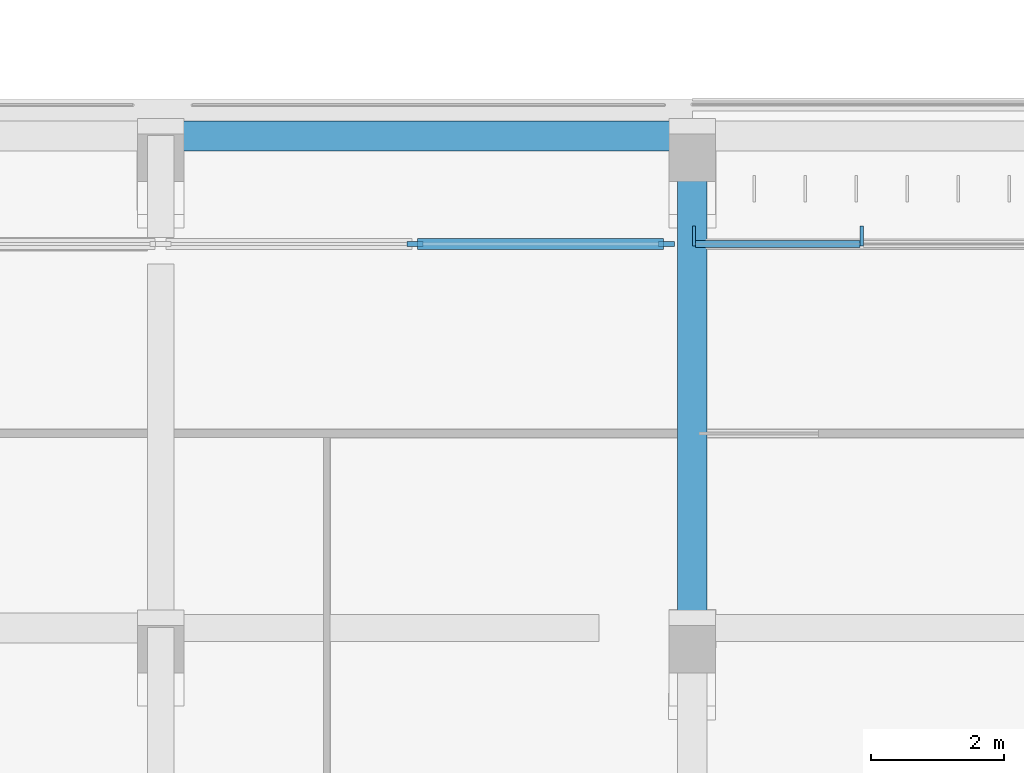
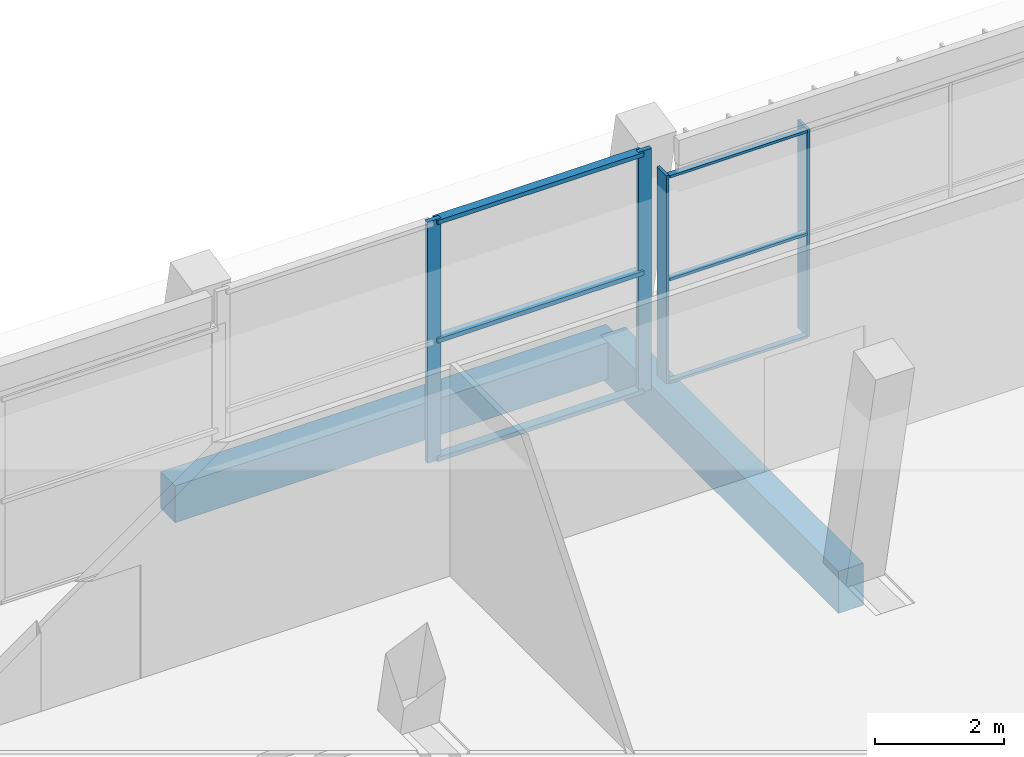
# One storey, part 9 of 73: 10 members, 2 beams, 2 elements without a shape of their own.
"""IFC4 building model written with IfcOpenShell, lengths in metres."""

from ifc_helpers import new_model, si_unit, direction, frame, origin, origin_2d, place, context, subcontext, project, spatial, rectangle, extrude, material, material_profile, profile_set, type_object, element, aggregate, save


model = new_model("IFC4")

# Units and contexts
model_context = context("Model", 3, precision=1e-05, world=origin(), true_north=direction((0.0, 1.0)))
body_context = subcontext(model_context, "Body", "Model", "MODEL_VIEW")
ifc_project = project(units=[si_unit("LENGTHUNIT", "METRE"), si_unit("AREAUNIT", "SQUARE_METRE"), si_unit("VOLUMEUNIT", "CUBIC_METRE"), si_unit("PLANEANGLEUNIT", "RADIAN"), si_unit("MASSUNIT", "GRAM", prefix="KILO")], contexts=[model_context])

# Site, building, storey
site_placement = place(None, origin())
site = spatial("IfcSite", under=ifc_project, at=site_placement, CompositionType="ELEMENT")
building_placement = place(site_placement, origin())
building = spatial("IfcBuilding", under=site, at=building_placement, Name="Lantern Court Media Centre", CompositionType="ELEMENT")
storey_placement = place(building_placement, frame((0.0, 0.0, 24.0)))
storey = spatial("IfcBuildingStorey", under=building, at=storey_placement, Name="L05", CompositionType="ELEMENT", Elevation=24.0)

# Curtain wall, members
ifc_material_1 = material(Name="Curtain wall bay 2400")
curtain_wall_type_1 = type_object("IfcCurtainWallType", Name="Curtain wall bay 2400", PredefinedType="NOTDEFINED", material=ifc_material_1)
curtain_wall_1_placement = place(storey_placement, origin())
curtain_wall_1 = element("IfcCurtainWall", 1, at=curtain_wall_1_placement, inside=storey, type_object=curtain_wall_type_1, Name="Curtain wall S inner L05", PredefinedType="NOTDEFINED")
ifc_material_2 = material(Name="Anodised aluminium", Category="aluminium")
ifc_material_profile_1 = material_profile(ifc_material_2, rectangle(XDim=0.300048828125, YDim=0.050048828125, at=origin_2d()), Name="AL 50x300")
ifc_profile_set_1 = profile_set([ifc_material_profile_1], Name="Anodised aluminium")
member_type_1 = type_object("IfcMemberType", Name="Curtain wall mullion 50x300", PredefinedType="MULLION", material=ifc_profile_set_1)
member_1_placement = place(storey_placement, frame((64.02490234375, 56.969970703125, 0.0), z_axis=(0.0, 0.0, 1.0), x_axis=(0.0, 1.0, 0.0)))
member_1 = element("IfcMember", 2, at=member_1_placement, type_object=member_type_1, Name="CW2 mullion 1", PredefinedType="MULLION", context=body_context, shape_type="SweptSolid", body=[
    extrude(rectangle(XDim=0.300048828125, YDim=0.050048828125, at=origin_2d()), origin(), (0.0, 0.0, 1.0), 3.949951171875),
])
member_2_placement = place(storey_placement, frame((66.550048828125, 56.969970703125, 0.0), z_axis=(0.0, 0.0, 1.0), x_axis=(0.0, 1.0, 0.0)))
member_2 = element("IfcMember", 3, at=member_2_placement, type_object=member_type_1, Name="CW2 mullion 2", PredefinedType="MULLION", context=body_context, shape_type="SweptSolid", body=[
    extrude(rectangle(XDim=0.300048828125, YDim=0.050048828125, at=origin_2d()), origin(), (0.0, 0.0, 1.0), 3.949951171875),
])

ifc_material_3 = material(Name="Curtain wall bay 4000")
curtain_wall_type_2 = type_object("IfcCurtainWallType", Name="Curtain wall bay 4000", PredefinedType="NOTDEFINED", material=ifc_material_3)
curtain_wall_2_placement = place(storey_placement, origin())
curtain_wall_2 = element("IfcCurtainWall", 4, at=curtain_wall_2_placement, inside=storey, type_object=curtain_wall_type_2, Name="Curtain wall S inner L05", PredefinedType="NOTDEFINED")
ifc_material_profile_2 = material_profile(ifc_material_2, rectangle(XDim=0.080078125, YDim=0.239990234375, at=origin_2d()), Name="AL 80x240")
ifc_profile_set_2 = profile_set([ifc_material_profile_2], Name="Anodised aluminium")
member_type_2 = type_object("IfcMemberType", Name="Curtain wall mullion 80x240", PredefinedType="MULLION", material=ifc_profile_set_2)
member_3_placement = place(storey_placement, frame((59.824951171875, 56.85009765625, 0.0), z_axis=(0.0, 0.0, 1.0), x_axis=(0.0, 1.0, 0.0)))
member_3 = element("IfcMember", 5, at=member_3_placement, type_object=member_type_2, Name="CW3 mullion 2", PredefinedType="MULLION", context=body_context, shape_type="SweptSolid", body=[
    extrude(rectangle(XDim=0.080078125, YDim=0.239990234375, at=origin_2d()), origin(), (0.0, 0.0, 1.0), 4.580078125),
])
member_4_placement = place(storey_placement, frame((63.610107421875, 56.85009765625, 0.0), z_axis=(0.0, 0.0, 1.0), x_axis=(0.0, 1.0, 0.0)))
member_4 = element("IfcMember", 6, at=member_4_placement, type_object=member_type_2, Name="CW3 mullion 3", PredefinedType="MULLION", context=body_context, shape_type="SweptSolid", body=[
    extrude(rectangle(XDim=0.080078125, YDim=0.239990234375, at=origin_2d()), origin(), (0.0, 0.0, 1.0), 4.580078125),
])

# Member
ifc_material_profile_3 = material_profile(ifc_material_2, rectangle(XDim=0.10009765625, YDim=0.050048828125, at=origin_2d()), Name="AL 50x100")
ifc_profile_set_3 = profile_set([ifc_material_profile_3], Name="Anodised aluminium")
member_type_3 = type_object("IfcMemberType", Name="Curtain wall transom 100x50", PredefinedType="USERDEFINED", material=ifc_profile_set_3)
member_5_placement = place(storey_placement, frame((64.050048828125, 56.85009765625, 0.02490234375), z_axis=(1.0, 0.0, 0.0), x_axis=(0.0, 1.0, 0.0)))
member_5 = element("IfcMember", 7, at=member_5_placement, type_object=member_type_3, Name="CW2 transom 1.1", ObjectType="TRANSOM", PredefinedType="USERDEFINED", context=body_context, shape_type="SweptSolid", body=[
    extrude(rectangle(XDim=0.10009765625, YDim=0.050048828125, at=origin_2d()), origin(), (0.0, 0.0, 1.0), 2.474853515625),
])

member_6_placement = place(storey_placement, frame((64.050048828125, 56.85009765625, 1.97509765625), z_axis=(1.0, 0.0, 0.0), x_axis=(0.0, 1.0, 0.0)))
member_6 = element("IfcMember", 8, at=member_6_placement, type_object=member_type_3, Name="CW2 transom 1.2", ObjectType="TRANSOM", PredefinedType="USERDEFINED", context=body_context, shape_type="SweptSolid", body=[
    extrude(rectangle(XDim=0.10009765625, YDim=0.050048828125, at=origin_2d()), origin(), (0.0, 0.0, 1.0), 2.474853515625),
])

member_7_placement = place(storey_placement, frame((64.050048828125, 56.85009765625, 3.925048828125), z_axis=(1.0, 0.0, 0.0), x_axis=(0.0, 1.0, 0.0)))
member_7 = element("IfcMember", 9, at=member_7_placement, type_object=member_type_3, Name="CW2 transom 1.3", ObjectType="TRANSOM", PredefinedType="USERDEFINED", context=body_context, shape_type="SweptSolid", body=[
    extrude(rectangle(XDim=0.10009765625, YDim=0.050048828125, at=origin_2d()), origin(), (0.0, 0.0, 1.0), 2.474853515625),
])

aggregate(curtain_wall_1, [member_1, member_2, member_5, member_6, member_7])

ifc_material_profile_4 = material_profile(ifc_material_2, rectangle(XDim=0.159912109375, YDim=0.080078125, at=origin_2d()), Name="AL 80x160")
ifc_profile_set_4 = profile_set([ifc_material_profile_4], Name="Anodised aluminium")
member_type_4 = type_object("IfcMemberType", Name="Curtain wall transom 160x80", PredefinedType="USERDEFINED", material=ifc_profile_set_4)
member_8_placement = place(storey_placement, frame((59.864990234375, 56.85009765625, 0.0400390625), z_axis=(1.0, 0.0, 0.0), x_axis=(0.0, 1.0, 0.0)))
member_8 = element("IfcMember", 10, at=member_8_placement, type_object=member_type_4, Name="CW3 transom 2.1", ObjectType="TRANSOM", PredefinedType="USERDEFINED", context=body_context, shape_type="SweptSolid", body=[
    extrude(rectangle(XDim=0.159912109375, YDim=0.080078125, at=origin_2d()), origin(), (0.0, 0.0, 1.0), 3.705078125),
])

member_9_placement = place(storey_placement, frame((59.864990234375, 56.85009765625, 2.2900390625), z_axis=(1.0, 0.0, 0.0), x_axis=(0.0, 1.0, 0.0)))
member_9 = element("IfcMember", 11, at=member_9_placement, type_object=member_type_4, Name="CW3 transom 2.2", ObjectType="TRANSOM", PredefinedType="USERDEFINED", context=body_context, shape_type="SweptSolid", body=[
    extrude(rectangle(XDim=0.159912109375, YDim=0.080078125, at=origin_2d()), origin(), (0.0, 0.0, 1.0), 3.705078125),
])

member_10_placement = place(storey_placement, frame((59.864990234375, 56.85009765625, 4.5400390625), z_axis=(1.0, 0.0, 0.0), x_axis=(0.0, 1.0, 0.0)))
member_10 = element("IfcMember", 12, at=member_10_placement, type_object=member_type_4, Name="CW3 transom 2.3", ObjectType="TRANSOM", PredefinedType="USERDEFINED", context=body_context, shape_type="SweptSolid", body=[
    extrude(rectangle(XDim=0.159912109375, YDim=0.080078125, at=origin_2d()), origin(), (0.0, 0.0, 1.0), 3.705078125),
])

aggregate(curtain_wall_2, [member_3, member_4, member_8, member_9, member_10])

# Beams
ifc_material_4 = material(Name="Concrete C35", Category="concrete")
ifc_material_profile_5 = material_profile(ifc_material_4, rectangle(XDim=0.449951171875, YDim=0.699951171875, at=origin_2d()), Name="RC 450x700")
ifc_profile_set_5 = profile_set([ifc_material_profile_5], Name="Concrete C35")
beam_type_1 = type_object("IfcBeamType", Name="RC BEAM 450x700", PredefinedType="BEAM", material=ifc_profile_set_5)
beam_1_placement = place(storey_placement, frame((56.0, 58.472900390625, -0.35009765625), z_axis=(1.0, 0.0, 0.0), x_axis=(0.0, 1.0, 0.0)))
element("IfcBeam", 13, at=beam_1_placement, inside=storey, type_object=beam_type_1, Name="LB-S-L05-2-4", PredefinedType="BEAM", context=body_context, shape_type="SweptSolid", body=[
    extrude(rectangle(XDim=0.449951171875, YDim=0.699951171875, at=origin_2d()), origin(), (0.0, 0.0, 1.0), 8.0),
])
ifc_material_profile_6 = material_profile(ifc_material_4, rectangle(XDim=0.449951171875, YDim=0.800048828125, at=origin_2d()), Name="RC 450x800")
ifc_profile_set_6 = profile_set([ifc_material_profile_6], Name="Concrete C35")
beam_type_2 = type_object("IfcBeamType", Name="RC BEAM 450x800", PredefinedType="BEAM", material=ifc_profile_set_6)
beam_2_placement = place(storey_placement, frame((64.0, 51.083251953125, -0.39990234375), z_axis=(0.0, 1.0, 0.0), x_axis=(-1.0, 0.0, 0.0)))
element("IfcBeam", 14, at=beam_2_placement, inside=storey, type_object=beam_type_2, Name="TB-S-L05-5-2", PredefinedType="BEAM", context=body_context, shape_type="SweptSolid", body=[
    extrude(rectangle(XDim=0.449951171875, YDim=0.800048828125, at=origin_2d()), origin(), (0.0, 0.0, 1.0), 7.400146484375),
])

save(model, "model.ifc")
